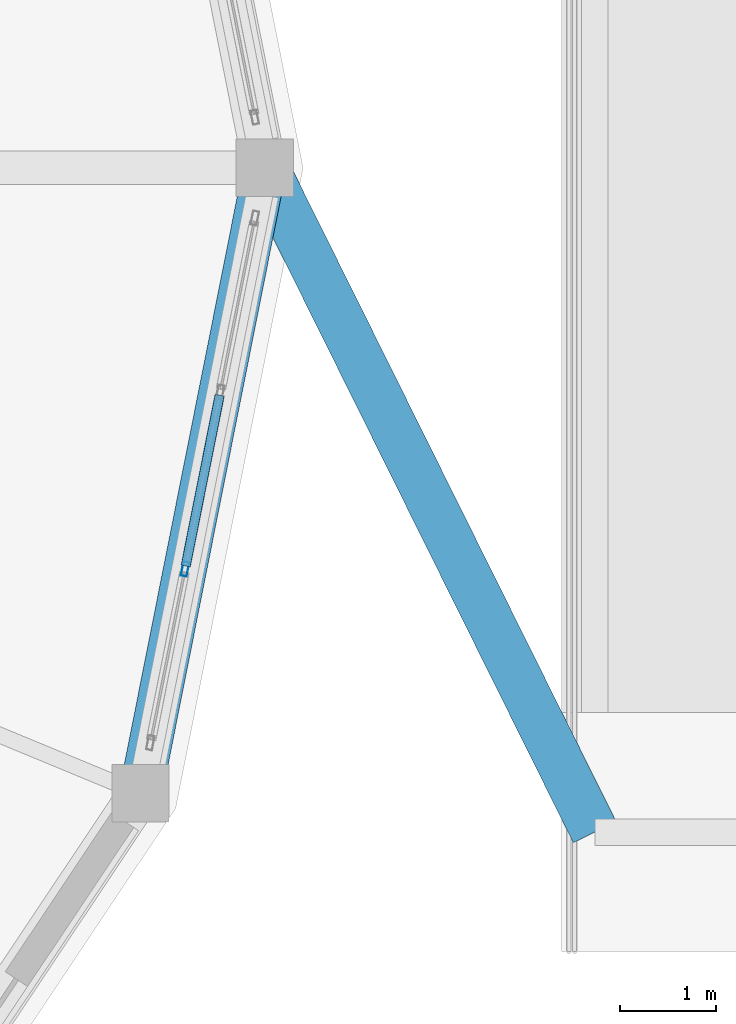
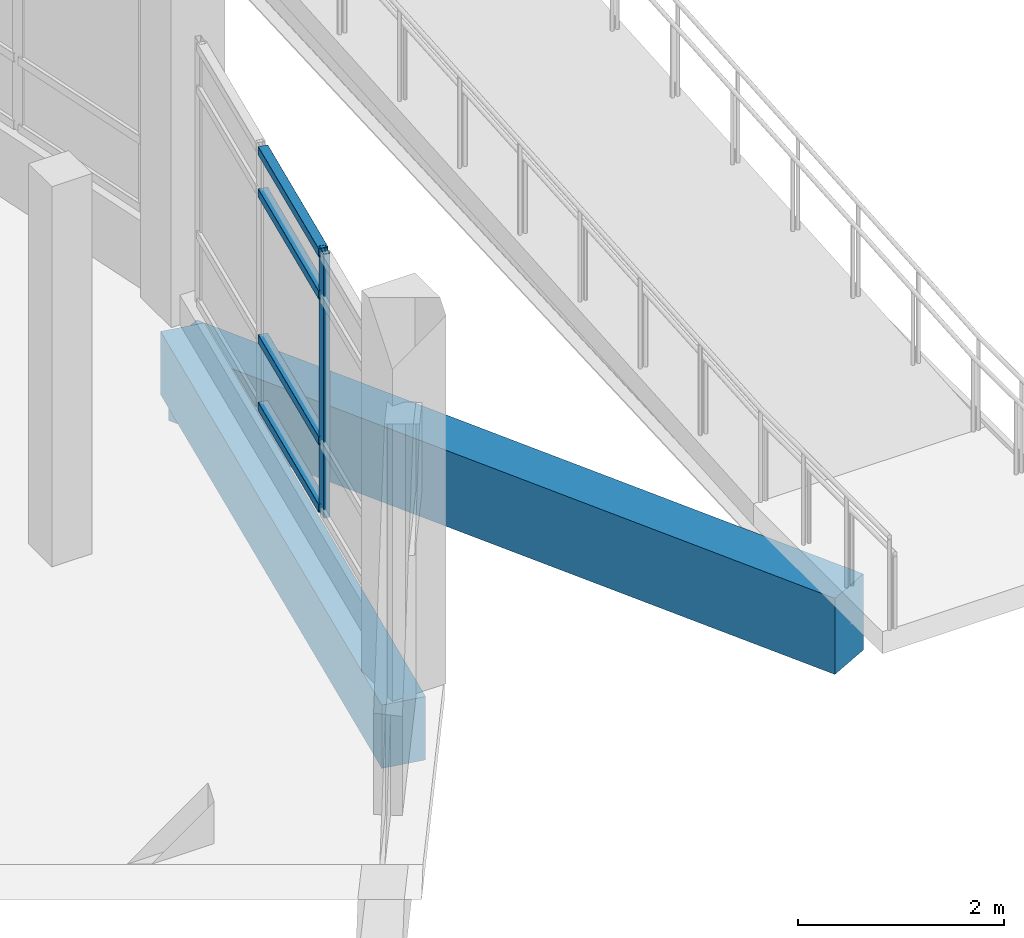
# One storey, part 73 of 129: 5 members, 2 beams, 1 element without a shape of its own.
"""IFC4 building model written with IfcOpenShell, lengths in metres."""

from ifc_helpers import new_model, si_unit, direction, frame, origin, origin_2d, place, context, subcontext, project, spatial, rectangle, hollow_rectangle, extrude, material, layer, layer_set, material_profile, profile_set, type_object, element, aggregate, save


model = new_model("IFC4")

# Units and contexts
model_context = context("Model", 3, precision=1e-05, world=origin(), true_north=direction((0.0, 1.0)))
body_context = subcontext(model_context, "Body", "Model", "MODEL_VIEW")
ifc_project = project(units=[si_unit("LENGTHUNIT", "METRE"), si_unit("AREAUNIT", "SQUARE_METRE"), si_unit("VOLUMEUNIT", "CUBIC_METRE"), si_unit("PLANEANGLEUNIT", "RADIAN"), si_unit("MASSUNIT", "GRAM", prefix="KILO")], contexts=[model_context])

# Site, building, storey
site_placement = place(None, origin())
site = spatial("IfcSite", under=ifc_project, at=site_placement, CompositionType="ELEMENT")
building_placement = place(site_placement, origin())
building = spatial("IfcBuilding", under=site, at=building_placement, Name="Vespera Passage Community Centre", CompositionType="ELEMENT")
storey_placement = place(building_placement, origin())
storey = spatial("IfcBuildingStorey", under=building, at=storey_placement, Name="L00", CompositionType="ELEMENT", Elevation=0.0)

# Beams
ifc_material_1 = material(Name="Concrete f'c 45 MPa", Category="concrete")
ifc_material_profile_1 = material_profile(ifc_material_1, rectangle(XDim=0.5, YDim=0.89990234375, at=origin_2d()), Name="RC500X900")
ifc_profile_set_1 = profile_set([ifc_material_profile_1], Name="Concrete f'c 45 MPa")
beam_type_1 = type_object("IfcBeamType", Name="BM-G-500X900", PredefinedType="BEAM", material=ifc_profile_set_1)
beam_1_placement = place(storey_placement, frame((158.10009765625, 25.0, -0.7900390625), z_axis=(0.444631606581, -0.895713533687, 0.0), x_axis=(0.895713533687, 0.444631606581, 0.0)))
element("IfcBeam", 1, at=beam_1_placement, inside=storey, type_object=beam_type_1, Name="Subgrade Structural Tie Girder 14", PredefinedType="BEAM", context=body_context, shape_type="SweptSolid", body=[
    extrude(rectangle(XDim=0.5, YDim=0.89990234375, at=origin_2d()), origin(), (0.0, 0.0, 1.0), 7.759033203125),
])
ifc_material_2 = material(Name="Concrete f'c 35 MPa", Category="concrete")
ifc_material_profile_2 = material_profile(ifc_material_2, rectangle(XDim=0.449951171875, YDim=0.75, at=origin_2d()), Name="RC450X750")
ifc_profile_set_2 = profile_set([ifc_material_profile_2], Name="Concrete f'c 35 MPa")
beam_type_2 = type_object("IfcBeamType", Name="BM-SP-450X750E", PredefinedType="SPANDREL", material=ifc_profile_set_2)
beam_2_placement = place(storey_placement, frame((156.79833984375, 18.4560546875, -0.655029296875), z_axis=(0.195102743632, 0.980782809509, 0.0), x_axis=(-0.980782809509, 0.195102743632, 0.0)))
element("IfcBeam", 2, at=beam_2_placement, inside=storey, type_object=beam_type_2, Name="V3 L00 Spandrel 16", PredefinedType="SPANDREL", context=body_context, shape_type="SweptSolid", body=[
    extrude(rectangle(XDim=0.449951171875, YDim=0.75, at=origin_2d()), origin(), (0.0, 0.0, 1.0), 6.672119140625),
])

# Curtain wall, members
ifc_material_3 = material(Name="Anodized aluminium 6063-T6", Category="aluminium")
ifc_layer = layer(ifc_material_3, 0.159912109375)
ifc_layer_set = layer_set([ifc_layer], Name="Anodized aluminium 6063-T6")
curtain_wall_type = type_object("IfcCurtainWallType", Name="CW-103E", PredefinedType="NOTDEFINED", material=ifc_layer_set)
curtain_wall_placement = place(storey_placement, origin())
curtain_wall = element("IfcCurtainWall", 3, at=curtain_wall_placement, inside=storey, type_object=curtain_wall_type, Name="Dining Drum Ribbon Curtain Wall L00.16", PredefinedType="NOTDEFINED")
ifc_material_4 = material(Name="Anodized aluminium 6063-T6", Category="aluminium")
ifc_material_profile_3 = material_profile(ifc_material_4, hollow_rectangle(XDim=0.06494140625, YDim=0.14990234375, WallThickness=0.00390625, InnerFilletRadius=0.001953125, OuterFilletRadius=0.00390625, at=origin_2d()), Name="ALU150X65X4")
ifc_profile_set_3 = profile_set([ifc_material_profile_3], Name="Anodized aluminium 6063-T6")
member_type_1 = type_object("IfcMemberType", Name="MB-CWM-150E", PredefinedType="MULLION", material=ifc_profile_set_3)
member_1_placement = place(storey_placement, frame((157.26513671875, 20.802734375, 0.35009765625), z_axis=(0.0, 0.0, 1.0), x_axis=(0.980783996069, -0.195096778691, 0.0)))
member_1 = element("IfcMember", 4, at=member_1_placement, type_object=member_type_1, Name="CW-103E mullion 3", PredefinedType="MULLION", context=body_context, shape_type="SweptSolid", body=[
    extrude(hollow_rectangle(XDim=0.06494140625, YDim=0.14990234375, WallThickness=0.00390625, InnerFilletRadius=0.001953125, OuterFilletRadius=0.00390625, at=origin_2d()), origin(), (0.0, 0.0, 1.0), 3.125),
])
ifc_material_5 = material(Name="Anodized aluminium 6063-T6", Category="aluminium")
ifc_material_profile_4 = material_profile(ifc_material_5, hollow_rectangle(XDim=0.10009765625, YDim=0.10009765625, WallThickness=0.00390625, InnerFilletRadius=0.001953125, OuterFilletRadius=0.00390625, at=origin_2d()), Name="ALU100X100X4")
ifc_profile_set_4 = profile_set([ifc_material_profile_4], Name="Anodized aluminium 6063-T6")
member_type_2 = type_object("IfcMemberType", Name="MB-CWT-100E", PredefinedType="USERDEFINED", material=ifc_profile_set_4)
member_2_placement = place(storey_placement, frame((157.626953125, 22.621337890625, 0.39990234375), z_axis=(-0.195136642714, -0.980776065507, 0.0), x_axis=(0.980776065507, -0.195136642714, 0.0)))
member_2 = element("IfcMember", 5, at=member_2_placement, type_object=member_type_2, Name="CW-103E transom 2.1", ObjectType="TRANSOM", PredefinedType="USERDEFINED", context=body_context, shape_type="SweptSolid", body=[
    extrude(hollow_rectangle(XDim=0.10009765625, YDim=0.10009765625, WallThickness=0.00390625, InnerFilletRadius=0.001953125, OuterFilletRadius=0.00390625, at=origin_2d()), origin(), (0.0, 0.0, 1.0), 1.821533203125),
])
member_3_placement = place(storey_placement, frame((157.626953125, 22.621337890625, 1.199951171875), z_axis=(-0.195136642714, -0.980776065507, 0.0), x_axis=(0.980776065507, -0.195136642714, 0.0)))
member_3 = element("IfcMember", 6, at=member_3_placement, type_object=member_type_2, Name="CW-103E transom 2.2", ObjectType="TRANSOM", PredefinedType="USERDEFINED", context=body_context, shape_type="SweptSolid", body=[
    extrude(hollow_rectangle(XDim=0.10009765625, YDim=0.10009765625, WallThickness=0.00390625, InnerFilletRadius=0.001953125, OuterFilletRadius=0.00390625, at=origin_2d()), origin(), (0.0, 0.0, 1.0), 1.821533203125),
])
member_4_placement = place(storey_placement, frame((157.626953125, 22.621337890625, 2.925048828125), z_axis=(-0.195136642714, -0.980776065507, 0.0), x_axis=(0.980776065507, -0.195136642714, 0.0)))
member_4 = element("IfcMember", 7, at=member_4_placement, type_object=member_type_2, Name="CW-103E transom 2.3", ObjectType="TRANSOM", PredefinedType="USERDEFINED", context=body_context, shape_type="SweptSolid", body=[
    extrude(hollow_rectangle(XDim=0.10009765625, YDim=0.10009765625, WallThickness=0.00390625, InnerFilletRadius=0.001953125, OuterFilletRadius=0.00390625, at=origin_2d()), origin(), (0.0, 0.0, 1.0), 1.821533203125),
])
member_5_placement = place(storey_placement, frame((157.626953125, 22.621337890625, 3.425048828125), z_axis=(-0.195136642714, -0.980776065507, 0.0), x_axis=(0.980776065507, -0.195136642714, 0.0)))
member_5 = element("IfcMember", 8, at=member_5_placement, type_object=member_type_2, Name="CW-103E transom 2.4", ObjectType="TRANSOM", PredefinedType="USERDEFINED", context=body_context, shape_type="SweptSolid", body=[
    extrude(hollow_rectangle(XDim=0.10009765625, YDim=0.10009765625, WallThickness=0.00390625, InnerFilletRadius=0.001953125, OuterFilletRadius=0.00390625, at=origin_2d()), origin(), (0.0, 0.0, 1.0), 1.821533203125),
])
aggregate(curtain_wall, [member_1, member_2, member_3, member_4, member_5])

save(model, "model.ifc")
